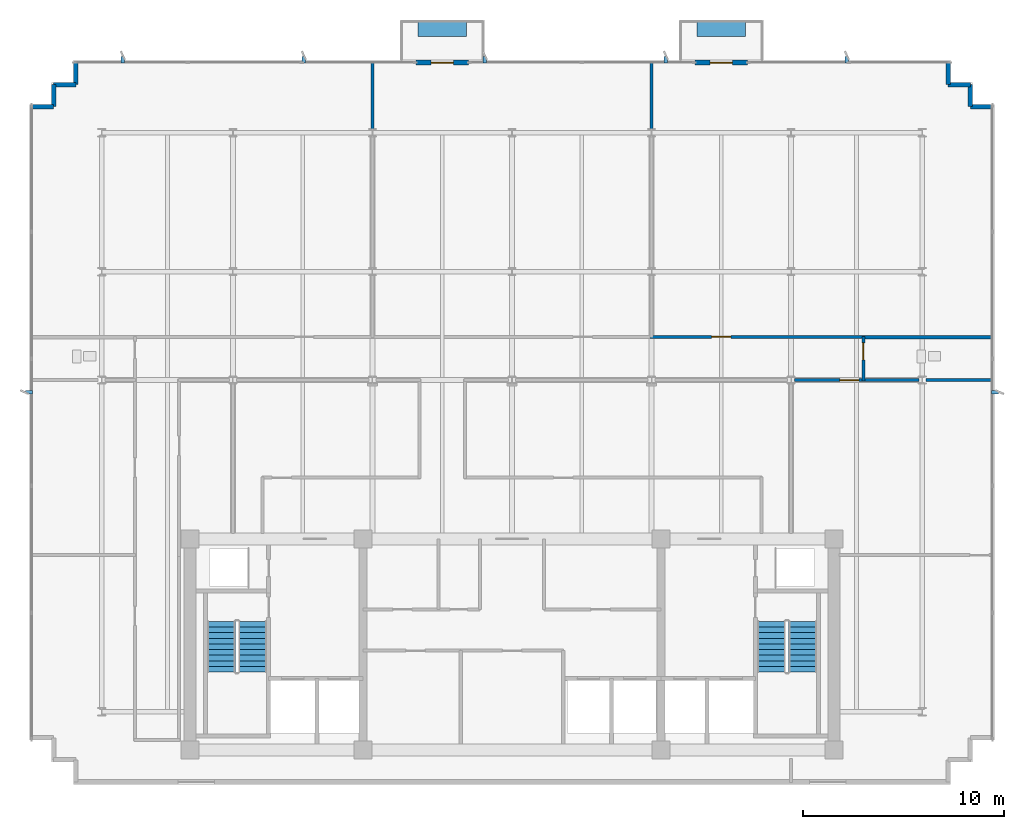
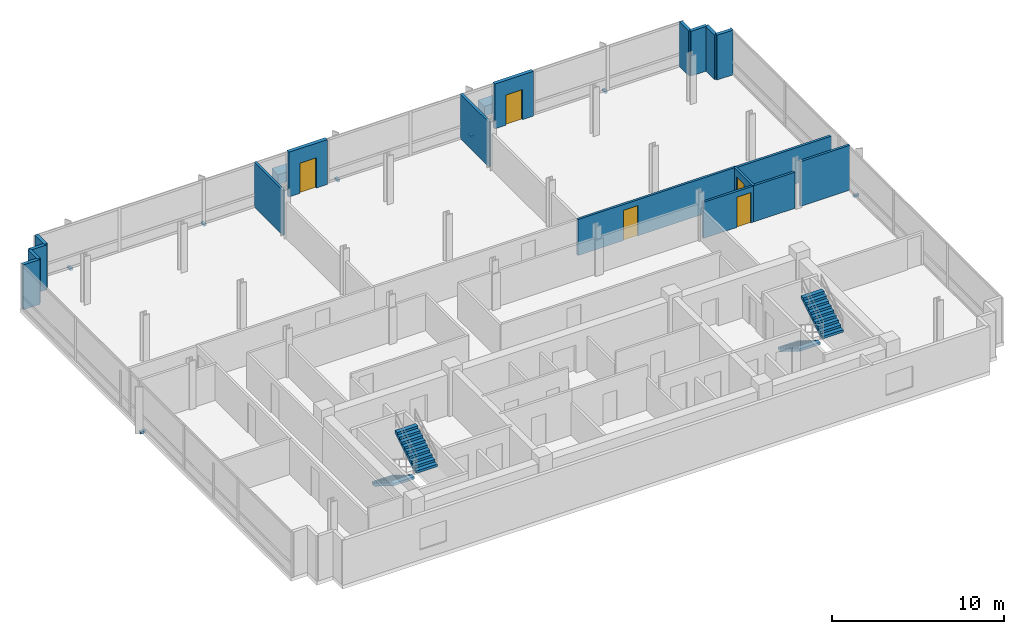
# One storey, part 10 of 13: 18 walls, 9 discrete accessories, 5 doors, 4 stair flights, 5 openings, 2 elements without a shape of their own.
"""IFC4 building model written with IfcOpenShell, lengths in metres."""

from ifc_helpers import new_model, si_unit, direction, frame, frame_2d, origin, origin_2d, place, context, subcontext, project, spatial, polyline, rectangle, outline, extrude, material, layer, layer_set, type_object, element, fill, aggregate, save


model = new_model("IFC4")

# Units and contexts
model_context = context("Model", 3, precision=1e-05, world=origin(), true_north=direction((0.0, 1.0)))
body_context = subcontext(model_context, "Body", "Model", "MODEL_VIEW")
ifc_project = project(units=[si_unit("LENGTHUNIT", "METRE"), si_unit("AREAUNIT", "SQUARE_METRE"), si_unit("VOLUMEUNIT", "CUBIC_METRE"), si_unit("PLANEANGLEUNIT", "RADIAN"), si_unit("MASSUNIT", "GRAM", prefix="KILO")], contexts=[model_context])

# Site, building, storey
site_placement = place(None, origin())
site = spatial("IfcSite", under=ifc_project, at=site_placement, CompositionType="ELEMENT")
building_placement = place(site_placement, origin())
building = spatial("IfcBuilding", under=site, at=building_placement, Name="Solmavex Isthmus Hotel", CompositionType="ELEMENT")
storey_placement = place(building_placement, frame((0.0, 0.0, 279.89990234375)))
storey = spatial("IfcBuildingStorey", under=building, at=storey_placement, Name="L76", CompositionType="ELEMENT", Elevation=279.89990234375)

# Wall, opening, door
ifc_material_1 = material(Name="Precast Concrete C40/50", Category="concrete")
ifc_layer_1 = layer(ifc_material_1, 0.25)
ifc_layer_set_1 = layer_set([ifc_layer_1], Name="Precast Concrete C40/50")
wall_type_1 = type_object("IfcWallType", Name="EW-TWR-250", PredefinedType="STANDARD", material=ifc_layer_set_1)
wall_1_placement = place(storey_placement, frame((-4.76806640625, 21.179931640625, 0.0), z_axis=(0.0, 0.0, 1.0), x_axis=(1.0, 0.0, 0.0)))
wall_1 = element("IfcWall", 1, at=wall_1_placement, inside=storey, type_object=wall_type_1, Name="Exterior Balcony Door Wall L76-2", PredefinedType="STANDARD", context=body_context, shape_type="SweptSolid", body=[
    extrude(rectangle(XDim=2.60009765625, YDim=0.239990234375, at=frame_2d((1.300048828125, 0.0))), origin(), (0.0, 0.0, 1.0), 3.190185546875),
])
opening_1_placement = place(wall_1_placement, frame((0.75, 0.0, 0.0)))
opening_1 = element("IfcOpeningElement", 2, at=opening_1_placement, cuts=wall_1, Name="Opening ED-02", PredefinedType="OPENING", context=body_context, shape_type="SweptSolid", body=[
    extrude(rectangle(XDim=1.10009765625, YDim=2.14990234375, at=frame_2d((0.550048828125, 1.074951171875))), frame((0.0, 0.1298828125, 0.0), z_axis=(0.0, -1.0, 0.0), x_axis=(1.0, 0.0, 0.0)), (0.0, 0.0, 1.0), 0.260009765625),
])
ifc_material_2 = material(Name="Aluminium alloy 6063-T6", Category="aluminium")
door_type_1 = type_object("IfcDoorType", Name="EDR-BALC-1100", OperationType="NOTDEFINED", PredefinedType="DOOR", material=ifc_material_2)
door_1_placement = place(opening_1_placement, origin())
door_1 = element("IfcDoor", 3, at=door_1_placement, inside=storey, type_object=door_type_1, Name="Balcony & Terrace Glazed Door L76-2", OperationType="SINGLE_SWING_RIGHT", OverallHeight=2.14990234375, OverallWidth=1.10009765625, PredefinedType="DOOR", context=body_context, shape_type="SweptSolid", body=[
    extrude(rectangle(XDim=1.10009765625, YDim=2.14990234375, at=frame_2d((0.550048828125, 1.074951171875))), frame((0.0, 0.02490234375, 0.0), z_axis=(0.0, -1.0, 0.0), x_axis=(1.0, 0.0, 0.0)), (0.0, 0.0, 1.0), 0.050048828125),
])
fill(opening_1, door_1)

wall_2_placement = place(storey_placement, frame((9.10400390625, 21.179931640625, 0.0), z_axis=(0.0, 0.0, 1.0), x_axis=(1.0, 0.0, 0.0)))
wall_2 = element("IfcWall", 4, at=wall_2_placement, inside=storey, type_object=wall_type_1, Name="Exterior Balcony Door Wall L76-3", PredefinedType="STANDARD", context=body_context, shape_type="SweptSolid", body=[
    extrude(rectangle(XDim=2.60009765625, YDim=0.239990234375, at=frame_2d((1.300048828125, 0.0))), origin(), (0.0, 0.0, 1.0), 3.190185546875),
])
opening_2_placement = place(wall_2_placement, frame((0.75, 0.0, 0.0)))
opening_2 = element("IfcOpeningElement", 5, at=opening_2_placement, cuts=wall_2, Name="Opening ED-02", PredefinedType="OPENING", context=body_context, shape_type="SweptSolid", body=[
    extrude(rectangle(XDim=1.10009765625, YDim=2.14990234375, at=frame_2d((0.550048828125, 1.074951171875))), frame((0.0, 0.1298828125, 0.0), z_axis=(0.0, -1.0, 0.0), x_axis=(1.0, 0.0, 0.0)), (0.0, 0.0, 1.0), 0.260009765625),
])
door_2_placement = place(opening_2_placement, origin())
door_2 = element("IfcDoor", 6, at=door_2_placement, inside=storey, type_object=door_type_1, Name="Balcony & Terrace Glazed Door L76-3", OperationType="SINGLE_SWING_LEFT", OverallHeight=2.14990234375, OverallWidth=1.10009765625, PredefinedType="DOOR", context=body_context, shape_type="SweptSolid", body=[
    extrude(rectangle(XDim=1.10009765625, YDim=2.14990234375, at=frame_2d((0.550048828125, 1.074951171875))), frame((0.0, 0.02490234375, 0.0), z_axis=(0.0, -1.0, 0.0), x_axis=(1.0, 0.0, 0.0)), (0.0, 0.0, 1.0), 0.050048828125),
])
fill(opening_2, door_2)

# Walls
wall_3_placement = place(storey_placement, frame((-23.889892578125, 18.989990234375, 0.0), z_axis=(0.0, 0.0, 1.0), x_axis=(1.0, 0.0, 0.0)))
element("IfcWall", 7, at=wall_3_placement, inside=storey, type_object=wall_type_1, Name="Serrated Corner Facade Panel L76-06", PredefinedType="STANDARD", context=body_context, shape_type="SweptSolid", body=[
    extrude(rectangle(XDim=1.099853515625, YDim=0.219970703125, at=frame_2d((0.5498046875, 0.0))), origin(), (0.0, 0.0, 1.0), 3.190185546875),
])
for number, where, z_axis, x_axis, name in (
    (8, (-22.7900390625, 18.989990234375, 0.0), (0.0, 0.0, 1.0), (0.0, 1.0, 0.0), "Serrated Corner Facade Panel L76-07"),
    (9, (-22.7900390625, 20.090087890625, 0.0), (0.0, 0.0, 1.0), (1.0, 0.0, 0.0), "Serrated Corner Facade Panel L76-08"),
):
    element("IfcWall", number, at=place(storey_placement, frame(where, z_axis=z_axis, x_axis=x_axis)), inside=storey, type_object=wall_type_1, Name=name, PredefinedType="STANDARD", context=body_context, shape_type="SweptSolid", body=[
        extrude(rectangle(XDim=1.10009765625, YDim=0.219970703125, at=frame_2d((0.550048828125, 0.0))), origin(), (0.0, 0.0, 1.0), 3.190185546875),
    ])
for number, where, z_axis, x_axis, name in (
    (10, (-21.68994140625, 20.090087890625, 0.0), (0.0, 0.0, 1.0), (0.0, 1.0, 0.0), "Serrated Corner Facade Panel L76-09"),
    (11, (21.68994140625, 21.18994140625, 0.0), (0.0, 0.0, 1.0), (0.0, -1.0, 0.0), "Serrated Corner Facade Panel L76-11"),
):
    element("IfcWall", number, at=place(storey_placement, frame(where, z_axis=z_axis, x_axis=x_axis)), inside=storey, type_object=wall_type_1, Name=name, PredefinedType="STANDARD", context=body_context, shape_type="SweptSolid", body=[
        extrude(rectangle(XDim=1.099853515625, YDim=0.219970703125, at=frame_2d((0.5498046875, 0.0))), origin(), (0.0, 0.0, 1.0), 3.190185546875),
    ])
for number, where, z_axis, x_axis, name in (
    (12, (21.68994140625, 20.090087890625, 0.0), (0.0, 0.0, 1.0), (1.0, 0.0, 0.0), "Serrated Corner Facade Panel L76-12"),
    (13, (22.7900390625, 20.090087890625, 0.0), (0.0, 0.0, 1.0), (0.0, -1.0, 0.0), "Serrated Corner Facade Panel L76-13"),
):
    element("IfcWall", number, at=place(storey_placement, frame(where, z_axis=z_axis, x_axis=x_axis)), inside=storey, type_object=wall_type_1, Name=name, PredefinedType="STANDARD", context=body_context, shape_type="SweptSolid", body=[
        extrude(rectangle(XDim=1.10009765625, YDim=0.219970703125, at=frame_2d((0.550048828125, 0.0))), origin(), (0.0, 0.0, 1.0), 3.190185546875),
    ])
wall_4_placement = place(storey_placement, frame((22.7900390625, 18.989990234375, 0.0), z_axis=(0.0, 0.0, 1.0), x_axis=(1.0, 0.0, 0.0)))
element("IfcWall", 14, at=wall_4_placement, inside=storey, type_object=wall_type_1, Name="Serrated Corner Facade Panel L76-14", PredefinedType="STANDARD", context=body_context, shape_type="SweptSolid", body=[
    extrude(rectangle(XDim=1.099853515625, YDim=0.219970703125, at=frame_2d((0.5498046875, 0.0))), origin(), (0.0, 0.0, 1.0), 3.190185546875),
])
ifc_material_3 = material(Name="Gypsum plasterboard lining", Category="gypsum")
ifc_layer_2 = layer(ifc_material_3, 0.159912109375)
ifc_layer_set_2 = layer_set([ifc_layer_2], Name="Gypsum plasterboard lining")
wall_type_2 = type_object("IfcWallType", Name="IW-COMP-160", PredefinedType="PARTITIONING", material=ifc_layer_set_2)
for number, where, z_axis, x_axis, name in (
    (15, (-6.93603515625, 21.219970703125, 0.0), (0.0, 0.0, 1.0), (0.0, -1.0, 0.0), "Interior Partition Wall W-L76-P029"),
    (16, (6.93603515625, 21.219970703125, 0.0), (0.0, 0.0, 1.0), (0.0, -1.0, 0.0), "Interior Partition Wall W-L76-P033"),
):
    element("IfcWall", number, at=place(storey_placement, frame(where, z_axis=z_axis, x_axis=x_axis)), inside=storey, type_object=wall_type_2, Name=name, PredefinedType="PARTITIONING", context=body_context, shape_type="SweptSolid", body=[
        extrude(rectangle(XDim=3.344970703125, YDim=0.159912109375, at=frame_2d((1.67236328125, 0.0))), origin(), (0.0, 0.0, 1.0), 3.190185546875),
    ])
wall_5_placement = place(storey_placement, frame((23.919921875, 7.530029296875, 0.0), z_axis=(0.0, 0.0, 1.0), x_axis=(-1.0, 0.0, 0.0)))
element("IfcWall", 17, at=wall_5_placement, inside=storey, type_object=wall_type_2, Name="Interior Partition Wall W-L76-P034", PredefinedType="PARTITIONING", context=body_context, shape_type="SweptSolid", body=[
    extrude(rectangle(XDim=6.488037109375, YDim=0.159912109375, at=frame_2d((3.244140625, 0.0))), origin(), (0.0, 0.0, 1.0), 2.5576171875),
])
wall_6_placement = place(storey_placement, frame((20.22509765625, 5.39990234375, 0.0), z_axis=(0.0, 0.0, 1.0), x_axis=(-1.0, 0.0, 0.0)))
element("IfcWall", 18, at=wall_6_placement, inside=storey, type_object=wall_type_2, Name="Interior Partition Wall W-L76-P037", PredefinedType="PARTITIONING", context=body_context, shape_type="SweptSolid", body=[
    extrude(rectangle(XDim=2.793212890625, YDim=0.159912109375, at=frame_2d((1.396484375, 0.0))), origin(), (0.0, 0.0, 1.0), 2.572509765625),
])
wall_7_placement = place(storey_placement, frame((23.919921875, 5.39990234375, 0.0), z_axis=(0.0, 0.0, 1.0), x_axis=(-1.0, 0.0, 0.0)))
element("IfcWall", 19, at=wall_7_placement, inside=storey, type_object=wall_type_2, Name="Interior Partition Wall W-L76-P038", PredefinedType="PARTITIONING", context=body_context, shape_type="SweptSolid", body=[
    extrude(rectangle(XDim=3.344970703125, YDim=0.159912109375, at=frame_2d((1.67236328125, 0.0))), origin(), (0.0, 0.0, 1.0), 3.190185546875),
])

# Wall, opening, door
ifc_layer_3 = layer(ifc_material_3, 0.14990234375)
ifc_layer_set_3 = layer_set([ifc_layer_3], Name="Gypsum plasterboard lining")
wall_type_3 = type_object("IfcWallType", Name="IW-CORR-150", PredefinedType="PARTITIONING", material=ifc_layer_set_3)
wall_8_placement = place(storey_placement, frame((6.85400390625, 7.550048828125, 0.0), z_axis=(0.0, 0.0, 1.0), x_axis=(1.0, 0.0, 0.0)))
wall_8 = element("IfcWall", 20, at=wall_8_placement, inside=storey, type_object=wall_type_3, Name="Interior Partition Wall W-L76-P003", PredefinedType="PARTITIONING", context=body_context, shape_type="SweptSolid", body=[
    extrude(rectangle(XDim=10.657958984375, YDim=0.14990234375, at=frame_2d((5.3291015625, 0.0))), origin(), (0.0, 0.0, 1.0), 2.572509765625),
])
opening_3_placement = place(wall_8_placement, frame((3.076904296875, 0.0, 0.0)))
opening_3 = element("IfcOpeningElement", 21, at=opening_3_placement, cuts=wall_8, Name="Opening ID-C095", PredefinedType="OPENING", context=body_context, shape_type="SweptSolid", body=[
    extrude(rectangle(XDim=0.949951171875, YDim=2.14990234375, at=frame_2d((0.47509765625, 1.074951171875))), frame((0.0, 0.0849609375, 0.0), z_axis=(0.0, -1.0, 0.0), x_axis=(1.0, 0.0, 0.0)), (0.0, 0.0, 1.0), 0.169921875),
])
ifc_material_4 = material(Name="Hardwood timber", Category="wood")
door_type_2 = type_object("IfcDoorType", Name="IDR-FD60-0950", OperationType="NOTDEFINED", PredefinedType="DOOR", material=ifc_material_4)
door_3_placement = place(opening_3_placement, origin())
door_3 = element("IfcDoor", 22, at=door_3_placement, inside=storey, type_object=door_type_2, Name="Corporate Briefing Office Door L76-03", OperationType="SINGLE_SWING_LEFT", OverallHeight=2.14990234375, OverallWidth=0.949951171875, PredefinedType="DOOR", context=body_context, shape_type="SweptSolid", body=[
    extrude(rectangle(XDim=0.949951171875, YDim=2.14990234375, at=frame_2d((0.47509765625, 1.074951171875))), frame((0.0, 0.02490234375, 0.0), z_axis=(0.0, -1.0, 0.0), x_axis=(1.0, 0.0, 0.0)), (0.0, 0.0, 1.0), 0.050048828125),
])
fill(opening_3, door_3)

wall_9_placement = place(storey_placement, frame((17.471923828125, 7.570068359375, 0.0), z_axis=(0.0, 0.0, 1.0), x_axis=(0.0, -1.0, 0.0)))
wall_9 = element("IfcWall", 23, at=wall_9_placement, inside=storey, type_object=wall_type_3, Name="Interior Partition Wall W-L76-P005", PredefinedType="PARTITIONING", context=body_context, shape_type="SweptSolid", body=[
    extrude(rectangle(XDim=2.2099609375, YDim=0.14990234375, at=frame_2d((1.10498046875, 0.0))), origin(), (0.0, 0.0, 1.0), 2.572509765625),
])
opening_4_placement = place(wall_9_placement, frame((0.322265625, 0.0, 0.0)))
opening_4 = element("IfcOpeningElement", 24, at=opening_4_placement, cuts=wall_9, Name="Opening ID-R085", PredefinedType="OPENING", context=body_context, shape_type="SweptSolid", body=[
    extrude(rectangle(XDim=0.85009765625, YDim=2.050048828125, at=frame_2d((0.425048828125, 1.02490234375))), frame((0.0, 0.0849609375, 0.0), z_axis=(0.0, -1.0, 0.0), x_axis=(1.0, 0.0, 0.0)), (0.0, 0.0, 1.0), 0.169921875),
])
ifc_material_5 = material(Name="Steel ASTM A500 Grade C", Category="steel")
door_type_3 = type_object("IfcDoorType", Name="IDR-FD60-0850", OperationType="NOTDEFINED", PredefinedType="DOOR", material=ifc_material_5)
door_4_placement = place(opening_4_placement, frame((0.85009765625, 0.0, 0.0), z_axis=(0.0, 0.0, 1.0), x_axis=(-1.0, 0.0, 0.0)))
door_4 = element("IfcDoor", 25, at=door_4_placement, inside=storey, type_object=door_type_3, Name="Public Restroom WC Door L76-05", OperationType="SINGLE_SWING_LEFT", OverallHeight=2.050048828125, OverallWidth=0.85009765625, PredefinedType="DOOR", context=body_context, shape_type="SweptSolid", body=[
    extrude(rectangle(XDim=0.85009765625, YDim=2.050048828125, at=frame_2d((0.425048828125, 1.02490234375))), frame((0.0, 0.02490234375, 0.0), z_axis=(0.0, -1.0, 0.0), x_axis=(1.0, 0.0, 0.0)), (0.0, 0.0, 1.0), 0.050048828125),
])
fill(opening_4, door_4)

wall_10_placement = place(storey_placement, frame((17.511962890625, 5.39990234375, 0.0), z_axis=(0.0, 0.0, 1.0), x_axis=(-1.0, 0.0, 0.0)))
wall_10 = element("IfcWall", 26, at=wall_10_placement, inside=storey, type_object=wall_type_3, Name="Interior Partition Wall W-L76-P023", PredefinedType="PARTITIONING", context=body_context, shape_type="SweptSolid", body=[
    extrude(rectangle(XDim=3.46484375, YDim=0.14990234375, at=frame_2d((1.732421875, 0.0))), origin(), (0.0, 0.0, 1.0), 2.572509765625),
])
opening_5_placement = place(wall_10_placement, frame((0.26220703125, 0.0, 0.0)))
opening_5 = element("IfcOpeningElement", 27, at=opening_5_placement, cuts=wall_10, Name="Opening ID-C095", PredefinedType="OPENING", context=body_context, shape_type="SweptSolid", body=[
    extrude(rectangle(XDim=0.949951171875, YDim=2.14990234375, at=frame_2d((0.47509765625, 1.074951171875))), frame((0.0, 0.0849609375, 0.0), z_axis=(0.0, -1.0, 0.0), x_axis=(1.0, 0.0, 0.0)), (0.0, 0.0, 1.0), 0.169921875),
])
door_5_placement = place(opening_5_placement, origin())
door_5 = element("IfcDoor", 28, at=door_5_placement, inside=storey, type_object=door_type_2, Name="Catering Servery Kitchen Door L76-10", OperationType="SINGLE_SWING_RIGHT", OverallHeight=2.14990234375, OverallWidth=0.949951171875, PredefinedType="DOOR", context=body_context, shape_type="SweptSolid", body=[
    extrude(rectangle(XDim=0.949951171875, YDim=2.14990234375, at=frame_2d((0.47509765625, 1.074951171875))), frame((0.0, 0.02490234375, 0.0), z_axis=(0.0, -1.0, 0.0), x_axis=(1.0, 0.0, 0.0)), (0.0, 0.0, 1.0), 0.050048828125),
])
fill(opening_5, door_5)

# Stair, stair flights
ifc_material_6 = material(Name="Concrete C40/50", Category="concrete")
stair_type_1 = type_object("IfcStairType", Name="STR-ST-1", PredefinedType="HALF_TURN_STAIR", material=ifc_material_6)
stair_1_placement = place(storey_placement, origin())
stair_1 = element("IfcStair", 29, at=stair_1_placement, inside=storey, type_object=stair_type_1, Name="L76 Protected Exit Stair ST-1", PredefinedType="HALF_TURN_STAIR")
stair_flight_type_1 = type_object("IfcStairFlightType", Name="SFL-ST-1", PredefinedType="STRAIGHT", material=ifc_material_6)
stair_flight_1_placement = place(storey_placement, frame((-14.449951171875, -6.60009765625, 0.0), z_axis=(0.0, 0.0, 1.0), x_axis=(0.0, -1.0, 0.0)))
stair_flight_1 = element("IfcStairFlight", 30, at=stair_flight_1_placement, type_object=stair_flight_type_1, Name="ST-1 flight 1", NumberOfRisers=10, NumberOfTreads=9, PredefinedType="STRAIGHT", RiserHeight=0.1725, TreadLength=0.28, context=body_context, shape_type="SweptSolid", body=[
    extrude(outline(polyline([(0.0, 0.0), (0.0, 0.172607421875), (0.280029296875, 0.172607421875), (0.280029296875, 0.344970703125), (0.56005859375, 0.344970703125), (0.56005859375, 0.517578125), (0.840087890625, 0.517578125), (0.840087890625, 0.68994140625), (1.1201171875, 0.68994140625), (1.1201171875, 0.862548828125), (1.39990234375, 0.862548828125), (1.39990234375, 1.034912109375), (1.679931640625, 1.034912109375), (1.679931640625, 1.20751953125), (1.9599609375, 1.20751953125), (1.9599609375, 1.3798828125), (2.239990234375, 1.3798828125), (2.239990234375, 1.552490234375), (2.52001953125, 1.552490234375), (2.52001953125, 1.72509765625), (2.52001953125, 1.37646484375), (0.285888671875, 0.0), (0.0, 0.0)])), frame((0.0, 0.699951171875, 0.0), z_axis=(0.0, -1.0, 0.0), x_axis=(1.0, 0.0, 0.0)), (0.0, 0.0, 1.0), 1.39990234375),
])
stair_flight_2_placement = place(storey_placement, frame((-12.89990234375, -9.1201171875, 1.72509765625), z_axis=(0.0, 0.0, 1.0), x_axis=(0.0, 1.0, 0.0)))
stair_flight_2 = element("IfcStairFlight", 31, at=stair_flight_2_placement, type_object=stair_flight_type_1, Name="ST-1 flight 2", NumberOfRisers=10, NumberOfTreads=9, PredefinedType="STRAIGHT", RiserHeight=0.1725, TreadLength=0.28, context=body_context, shape_type="SweptSolid", body=[
    extrude(outline(polyline([(0.0, 0.0), (0.0, 0.172607421875), (0.280029296875, 0.172607421875), (0.280029296875, 0.344970703125), (0.56005859375, 0.344970703125), (0.56005859375, 0.517578125), (0.840087890625, 0.517578125), (0.840087890625, 0.68994140625), (1.1201171875, 0.68994140625), (1.1201171875, 0.862548828125), (1.39990234375, 0.862548828125), (1.39990234375, 1.034912109375), (1.679931640625, 1.034912109375), (1.679931640625, 1.20751953125), (1.9599609375, 1.20751953125), (1.9599609375, 1.3798828125), (2.239990234375, 1.3798828125), (2.239990234375, 1.552490234375), (2.52001953125, 1.552490234375), (2.52001953125, 1.72509765625), (2.52001953125, 1.37646484375), (0.285888671875, 0.0), (0.0, 0.0)])), frame((0.0, 0.699951171875, 0.0), z_axis=(0.0, -1.0, 0.0), x_axis=(1.0, 0.0, 0.0)), (0.0, 0.0, 1.0), 1.39990234375),
])
aggregate(stair_1, [stair_flight_1, stair_flight_2])

stair_type_2 = type_object("IfcStairType", Name="STR-ST-2", PredefinedType="HALF_TURN_STAIR", material=ifc_material_6)
stair_2_placement = place(storey_placement, origin())
stair_2 = element("IfcStair", 32, at=stair_2_placement, inside=storey, type_object=stair_type_2, Name="L76 Protected Exit Stair ST-2", PredefinedType="HALF_TURN_STAIR")
stair_flight_type_2 = type_object("IfcStairFlightType", Name="SFL-ST-2", PredefinedType="STRAIGHT", material=ifc_material_6)
stair_flight_3_placement = place(storey_placement, frame((12.89990234375, -6.60009765625, 0.0), z_axis=(0.0, 0.0, 1.0), x_axis=(0.0, -1.0, 0.0)))
stair_flight_3 = element("IfcStairFlight", 33, at=stair_flight_3_placement, type_object=stair_flight_type_2, Name="ST-2 flight 1", NumberOfRisers=10, NumberOfTreads=9, PredefinedType="STRAIGHT", RiserHeight=0.1725, TreadLength=0.28, context=body_context, shape_type="SweptSolid", body=[
    extrude(outline(polyline([(0.0, 0.0), (0.0, 0.172607421875), (0.280029296875, 0.172607421875), (0.280029296875, 0.344970703125), (0.56005859375, 0.344970703125), (0.56005859375, 0.517578125), (0.840087890625, 0.517578125), (0.840087890625, 0.68994140625), (1.1201171875, 0.68994140625), (1.1201171875, 0.862548828125), (1.39990234375, 0.862548828125), (1.39990234375, 1.034912109375), (1.679931640625, 1.034912109375), (1.679931640625, 1.20751953125), (1.9599609375, 1.20751953125), (1.9599609375, 1.3798828125), (2.239990234375, 1.3798828125), (2.239990234375, 1.552490234375), (2.52001953125, 1.552490234375), (2.52001953125, 1.72509765625), (2.52001953125, 1.37646484375), (0.285888671875, 0.0), (0.0, 0.0)])), frame((0.0, 0.699951171875, 0.0), z_axis=(0.0, -1.0, 0.0), x_axis=(1.0, 0.0, 0.0)), (0.0, 0.0, 1.0), 1.39990234375),
])
stair_flight_4_placement = place(storey_placement, frame((14.449951171875, -9.1201171875, 1.72509765625), z_axis=(0.0, 0.0, 1.0), x_axis=(0.0, 1.0, 0.0)))
stair_flight_4 = element("IfcStairFlight", 34, at=stair_flight_4_placement, type_object=stair_flight_type_2, Name="ST-2 flight 2", NumberOfRisers=10, NumberOfTreads=9, PredefinedType="STRAIGHT", RiserHeight=0.1725, TreadLength=0.28, context=body_context, shape_type="SweptSolid", body=[
    extrude(outline(polyline([(0.0, 0.0), (0.0, 0.172607421875), (0.280029296875, 0.172607421875), (0.280029296875, 0.344970703125), (0.56005859375, 0.344970703125), (0.56005859375, 0.517578125), (0.840087890625, 0.517578125), (0.840087890625, 0.68994140625), (1.1201171875, 0.68994140625), (1.1201171875, 0.862548828125), (1.39990234375, 0.862548828125), (1.39990234375, 1.034912109375), (1.679931640625, 1.034912109375), (1.679931640625, 1.20751953125), (1.9599609375, 1.20751953125), (1.9599609375, 1.3798828125), (2.239990234375, 1.3798828125), (2.239990234375, 1.552490234375), (2.52001953125, 1.552490234375), (2.52001953125, 1.72509765625), (2.52001953125, 1.37646484375), (0.285888671875, 0.0), (0.0, 0.0)])), frame((0.0, 0.699951171875, 0.0), z_axis=(0.0, -1.0, 0.0), x_axis=(1.0, 0.0, 0.0)), (0.0, 0.0, 1.0), 1.39990234375),
])
aggregate(stair_2, [stair_flight_3, stair_flight_4])

# Discrete accessories
ifc_material_7 = material(Name="Steel ASTM A572 Grade 50", Category="steel")
discrete_accessory_type_1 = type_object("IfcDiscreteAccessoryType", Name="ACC-BRK-FIN", PredefinedType="BRACKET", material=ifc_material_7)
for number, where, z_axis, x_axis, name in (
    (35, (-19.35009765625, 21.320068359375, -0.169921875), (0.0, 0.0, 1.0), (0.0, 1.0, 0.0), "Facade Fin Support Bracket L76-N1"),
    (36, (-10.35009765625, 21.320068359375, -0.169921875), (0.0, 0.0, 1.0), (0.0, 1.0, 0.0), "Facade Fin Support Bracket L76-N2"),
    (37, (-1.35009765625, 21.320068359375, -0.169921875), (0.0, 0.0, 1.0), (0.0, 1.0, 0.0), "Facade Fin Support Bracket L76-N3"),
    (38, (7.64990234375, 21.320068359375, -0.169921875), (0.0, 0.0, 1.0), (0.0, 1.0, 0.0), "Facade Fin Support Bracket L76-N4"),
    (39, (16.64990234375, 21.320068359375, -0.169921875), (0.0, 0.0, 1.0), (0.0, 1.0, 0.0), "Facade Fin Support Bracket L76-N5"),
    (40, (-24.02001953125, 4.800048828125, -0.169921875), (0.0, 0.0, 1.0), (-1.0, 0.0, 0.0), "Facade Fin Support Bracket L76-W1"),
    (41, (24.02001953125, 4.800048828125, -0.169921875), (0.0, 0.0, 1.0), (1.0, 0.0, 0.0), "Facade Fin Support Bracket L76-E1"),
):
    element("IfcDiscreteAccessory", number, at=place(storey_placement, frame(where, z_axis=z_axis, x_axis=x_axis)), inside=storey, type_object=discrete_accessory_type_1, Name=name, PredefinedType="BRACKET", context=body_context, shape_type="SweptSolid", body=[
        extrude(rectangle(XDim=0.340087890625, YDim=0.179931640625, at=origin_2d()), origin(), (0.0, 0.0, 1.0), 0.159912109375),
    ])
discrete_accessory_type_2 = type_object("IfcDiscreteAccessoryType", Name="ACC-PLN-BALC", PredefinedType="USERDEFINED", material=ifc_material_1)
for number, where, z_axis, x_axis, name in (
    (42, (-3.468017578125, 22.85009765625, 0.0), (0.0, 0.0, 1.0), (1.0, 0.0, 0.0), "Tree-Balcony Architectural Planter L76-B1"),
    (43, (10.404052734375, 22.85009765625, 0.0), (0.0, 0.0, 1.0), (1.0, 0.0, 0.0), "Tree-Balcony Architectural Planter L76-B2"),
):
    element("IfcDiscreteAccessory", number, at=place(storey_placement, frame(where, z_axis=z_axis, x_axis=x_axis)), inside=storey, type_object=discrete_accessory_type_2, Name=name, ObjectType="PLANTER", PredefinedType="USERDEFINED", context=body_context, shape_type="SweptSolid", body=[
        extrude(rectangle(XDim=2.39990234375, YDim=0.75, at=origin_2d()), origin(), (0.0, 0.0, 1.0), 0.699951171875),
    ])

save(model, "model.ifc")
